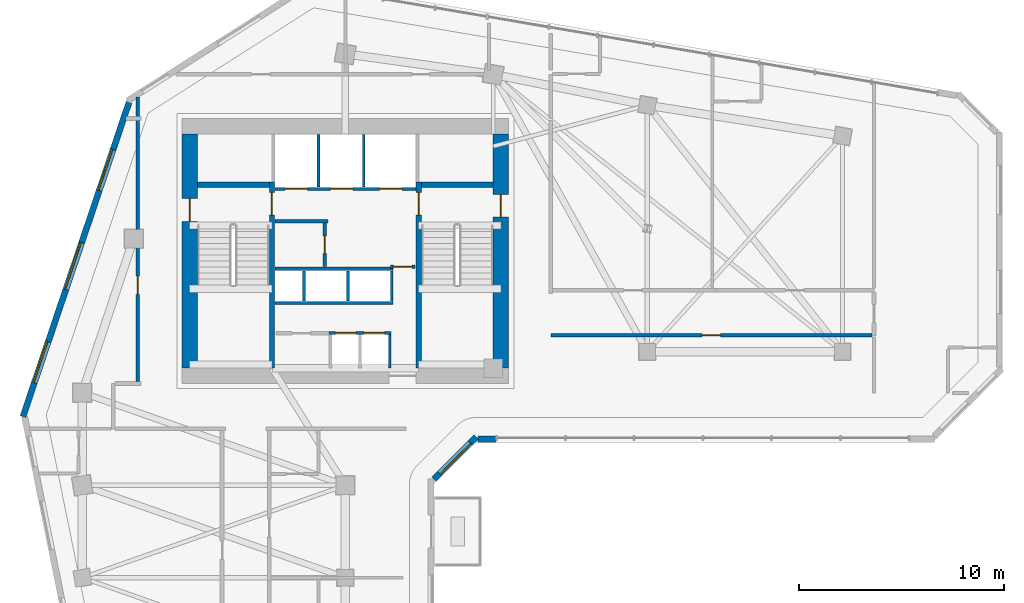
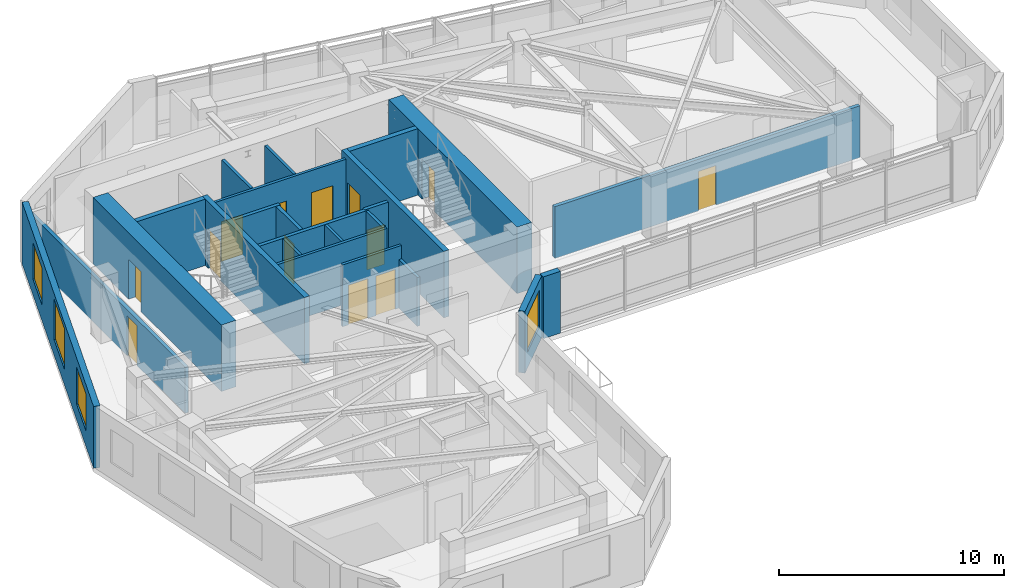
# One storey, part 5 of 10: 24 walls, 13 doors, 4 windows, 17 openings.
"""IFC4 building model written with IfcOpenShell, lengths in metres."""

import ifcopenshell
import ifcopenshell.guid

model = None  # the IFC model being written
_history = None  # IfcOwnerHistory: only IFC2X3 demands one
_inside = {}  # id of a spatial element -> (the spatial element, [elements in it])
_under = {}  # id of a project, library or spatial element -> (it, [spatial elements below it])
_declared = {}  # id of a project -> (the project, [libraries it declares])
_typed = {}  # id of a type object -> (the type object, [elements of that type])
_made_of = {}  # id of a material, layer set ... -> (it, [elements and type objects made of it])


def new_model(schema):
    """Start an empty IFC model of exactly this schema.

    Asked for "IFC4X3", IfcOpenShell would pick the latest addendum, in which some entities
    have other attributes; the version numbers below select the first issue.
    IFC2X3 requires an IfcOwnerHistory on every rooted entity: one is made here for all.
    """
    global model, _history
    if schema == "IFC4X3":
        model = ifcopenshell.file(schema_version=(4, 3, 0, 0))
    else:
        model = ifcopenshell.file(schema=schema)
    _inside.clear()
    _under.clear()
    _declared.clear()
    _typed.clear()
    _made_of.clear()
    _history = None
    if model.schema == "IFC2X3":
        org = make("IfcOrganization", Name="unknown")
        user = make(
            "IfcPersonAndOrganization",
            ThePerson=make("IfcPerson", FamilyName="unknown"),
            TheOrganization=org,
        )
        app = make(
            "IfcApplication",
            ApplicationDeveloper=org,
            Version="unknown",
            ApplicationFullName="unknown",
            ApplicationIdentifier="unknown",
        )
        _history = make(
            "IfcOwnerHistory",
            OwningUser=user,
            OwningApplication=app,
            ChangeAction="ADDED",
            CreationDate=0,
        )
    return model


def make(cls, **values):
    """One entity of the class cls with the attributes given. An attribute that is None is left unset."""
    return model.create_entity(
        cls, **{name: value for name, value in values.items() if value is not None}
    )


def rooted(cls, **values):
    """An entity with a GlobalId (a new one), such as an element, a storey or a relation."""
    return make(cls, GlobalId=ifcopenshell.guid.new(), OwnerHistory=_history, **values)


def si_unit(unit_type, name, prefix=None):
    """IfcSIUnit, for example si_unit("LENGTHUNIT", "METRE", prefix="MILLI")."""
    return make("IfcSIUnit", UnitType=unit_type, Prefix=prefix, Name=name)


def assignment(units):
    """IfcUnitAssignment: the units of a project."""
    return None if units is None else make("IfcUnitAssignment", Units=units)


def point(xyz):
    """IfcCartesianPoint."""
    return None if xyz is None else make("IfcCartesianPoint", Coordinates=xyz)


def direction(xyz):
    """IfcDirection."""
    return None if xyz is None else make("IfcDirection", DirectionRatios=xyz)


def frame(location, z_axis=None, x_axis=None):
    """IfcAxis2Placement3D, a coordinate frame: its origin and axes. An axis left out is left unset."""
    return make(
        "IfcAxis2Placement3D",
        Location=point(location),
        Axis=direction(z_axis),
        RefDirection=direction(x_axis),
    )


def frame_2d(location, x_axis=None):
    """IfcAxis2Placement2D, a coordinate frame in the plane: its origin and x axis."""
    return make(
        "IfcAxis2Placement2D", Location=point(location), RefDirection=direction(x_axis)
    )


def origin():
    """The frame at (0, 0, 0) with its axes left unset."""
    return frame((0.0, 0.0, 0.0))


def place(relative_to, where):
    """IfcLocalPlacement: puts the frame where relative to a parent placement (None: the world)."""
    return make(
        "IfcLocalPlacement", PlacementRelTo=relative_to, RelativePlacement=where
    )


def context(
    kind, dimensions, precision=None, world=None, true_north=None, identifier=None
):
    """IfcGeometricRepresentationContext, for example the 3D "Model" context."""
    return make(
        "IfcGeometricRepresentationContext",
        ContextIdentifier=identifier,
        ContextType=kind,
        CoordinateSpaceDimension=dimensions,
        Precision=precision,
        WorldCoordinateSystem=world,
        TrueNorth=true_north,
    )


def subcontext(parent, identifier, kind, view, scale=None):
    """IfcGeometricRepresentationSubContext, for example "Body" below "Model"."""
    return make(
        "IfcGeometricRepresentationSubContext",
        ContextIdentifier=identifier,
        ContextType=kind,
        ParentContext=parent,
        TargetScale=scale,
        TargetView=view,
    )


def project(units=None, contexts=None):
    """IfcProject with its units and contexts."""
    return rooted(
        "IfcProject",
        Name="project",
        RepresentationContexts=contexts,
        UnitsInContext=assignment(units),
    )


def spatial(cls, under=None, at=None, **own):
    """A site, building, storey or space (cls), placed at a placement, below another one or the project."""
    s = rooted(cls, ObjectPlacement=at, **own)
    if under is not None:
        _under.setdefault(under.id(), (under, []))[1].append(s)
    return s


def profile(cls, at=None, kind="AREA", **sizes):
    """A parametric profile (cls). Its sizes go by their IFC names, for example OverallWidth=200.0."""
    return make(cls, ProfileType=kind, Position=at, **sizes)


def rectangle(**sizes):
    """IfcRectangleProfileDef."""
    return profile("IfcRectangleProfileDef", **sizes)


def extrude(swept, where, along, depth):
    """IfcExtrudedAreaSolid: the profile swept, set in the frame where, extruded along a direction by depth."""
    return make(
        "IfcExtrudedAreaSolid",
        SweptArea=swept,
        Position=where,
        ExtrudedDirection=direction(along),
        Depth=depth,
    )


def shape(context_of_items, identifier, shape_type, items):
    """IfcShapeRepresentation: the items that make up one representation, for example the "Body"."""
    return make(
        "IfcShapeRepresentation",
        ContextOfItems=context_of_items,
        RepresentationIdentifier=identifier,
        RepresentationType=shape_type,
        Items=items,
    )


def source(mapping_origin, context_of_items, identifier, shape_type, items):
    """IfcRepresentationMap: a shape defined once, which mapped items show again and again."""
    return make(
        "IfcRepresentationMap",
        MappingOrigin=mapping_origin,
        MappedRepresentation=shape(context_of_items, identifier, shape_type, items),
    )


def transform(
    local_origin,
    x_axis=None,
    y_axis=None,
    z_axis=None,
    scale=None,
    scale2=None,
    scale3=None,
    uniform=True,
):
    """IfcCartesianTransformationOperator3D, or its non-uniform kind. x_axis, y_axis, z_axis: its Axis1, 2, 3."""
    if uniform:
        return make(
            "IfcCartesianTransformationOperator3D",
            Axis1=direction(x_axis),
            Axis2=direction(y_axis),
            LocalOrigin=point(local_origin),
            Scale=scale,
            Axis3=direction(z_axis),
        )
    return make(
        "IfcCartesianTransformationOperator3DnonUniform",
        Axis1=direction(x_axis),
        Axis2=direction(y_axis),
        LocalOrigin=point(local_origin),
        Scale=scale,
        Axis3=direction(z_axis),
        Scale2=scale2,
        Scale3=scale3,
    )


def mapped(mapping_source, mapping_target):
    """IfcMappedItem: shows the shape of a source again, moved by a transform."""
    return make(
        "IfcMappedItem", MappingSource=mapping_source, MappingTarget=mapping_target
    )


def material(Name=None, Category=None):
    """IfcMaterial."""
    return make("IfcMaterial", Name=Name, Category=Category)


def layer(
    of_material, thickness, ventilated=None, Name=None, Category=None, Priority=None
):
    """IfcMaterialLayer: one layer of a wall or slab, of a material (None: an air gap)."""
    return make(
        "IfcMaterialLayer",
        Material=of_material,
        LayerThickness=thickness,
        IsVentilated=ventilated,
        Name=Name,
        Category=Category,
        Priority=Priority,
    )


def layer_set(layers, Name=None):
    """IfcMaterialLayerSet."""
    return make("IfcMaterialLayerSet", MaterialLayers=layers, LayerSetName=Name)


def made_of(thing, what):
    """Note that an element or type object is made of a material, layer set ...; save() writes the relation."""
    if what is not None:
        _made_of.setdefault(what.id(), (what, []))[1].append(thing)
    return thing


def type_object(cls, material=None, **own):
    """A type object (cls), such as IfcWallType, which elements share."""
    return made_of(rooted(cls, **own), material)


def element(
    cls,
    number,
    at=None,
    inside=None,
    cuts=None,
    type_object=None,
    material=None,
    context=None,
    identifier="Body",
    shape_type=None,
    held_by="IfcProductDefinitionShape",
    body=None,
    shapes=None,
    **own,
):
    """One element of the class cls, such as IfcWall. Its Tag is "e" and its number.

    at: its placement. inside: the storey or other place that contains it. cuts: it is an
    opening in that element (IfcRelVoidsElement). A single representation is given by context,
    identifier, shape_type and body (its items); several are given by shapes. held_by: the class
    of the entity that holds the representations. save() writes the other relations.
    """
    e = rooted(cls, Tag="e%d" % number, ObjectPlacement=at, **own)
    if body is not None:
        shapes = [shape(context, identifier, shape_type, body)]
    if shapes is not None:
        e.Representation = make(held_by, Representations=shapes)
    if inside is not None:
        _inside.setdefault(inside.id(), (inside, []))[1].append(e)
    if cuts is not None:
        rooted(
            "IfcRelVoidsElement", RelatingBuildingElement=cuts, RelatedOpeningElement=e
        )
    if type_object is not None:
        _typed.setdefault(type_object.id(), (type_object, []))[1].append(e)
    return made_of(e, material)


def fill(opening, filler):
    """IfcRelFillsElement: the door or window that sits in an opening."""
    return rooted(
        "IfcRelFillsElement",
        RelatingOpeningElement=opening,
        RelatedBuildingElement=filler,
    )


def aggregate(whole, parts):
    """IfcRelAggregates: a whole, such as a stair, and the parts it consists of."""
    return rooted("IfcRelAggregates", RelatingObject=whole, RelatedObjects=parts)


def save(model, path):
    """Write the relations noted so far, then the file.

    IfcRelAggregates (storeys below a building ...), IfcRelContainedInSpatialStructure (elements
    in a storey), IfcRelDefinesByType, IfcRelAssociatesMaterial and IfcRelDeclares: one each for
    every whole, place, type object, material and project.
    """
    for whole, parts in _under.values():
        aggregate(whole, parts)
    for where, things in _inside.values():
        rooted(
            "IfcRelContainedInSpatialStructure",
            RelatedElements=things,
            RelatingStructure=where,
        )
    for kind, things in _typed.values():
        rooted("IfcRelDefinesByType", RelatedObjects=things, RelatingType=kind)
    for what, things in _made_of.values():
        rooted("IfcRelAssociatesMaterial", RelatedObjects=things, RelatingMaterial=what)
    for by, libraries in _declared.values():
        rooted("IfcRelDeclares", RelatingContext=by, RelatedDefinitions=libraries)
    model.write(path)


model = new_model("IFC4")

# Units and contexts
model_context = context("Model", 3, precision=1e-05, world=origin(), true_north=direction((0.0, 1.0)))
body_context = subcontext(model_context, "Body", "Model", "MODEL_VIEW")
ifc_project = project(units=[si_unit("LENGTHUNIT", "METRE"), si_unit("AREAUNIT", "SQUARE_METRE"), si_unit("VOLUMEUNIT", "CUBIC_METRE"), si_unit("PLANEANGLEUNIT", "RADIAN"), si_unit("MASSUNIT", "GRAM", prefix="KILO")], contexts=[model_context])

# Site, building, storey
site_placement = place(None, origin())
site = spatial("IfcSite", under=ifc_project, at=site_placement, CompositionType="ELEMENT")
building_placement = place(site_placement, origin())
building = spatial("IfcBuilding", under=site, at=building_placement, Name="Calvemar Wedge Station Tower", CompositionType="ELEMENT")
storey_placement = place(building_placement, frame((0.0, 0.0, 150.199951171875)))
storey = spatial("IfcBuildingStorey", under=building, at=storey_placement, Name="L37", CompositionType="ELEMENT", Elevation=150.199951171875)

# Wall, opening, door
ifc_material_1 = material(Name="Concrete C50", Category="concrete")
ifc_layer_1 = layer(ifc_material_1, 0.260009765625)
ifc_layer_set_1 = layer_set([ifc_layer_1], Name="Concrete C50")
wall_type_1 = type_object("IfcWallType", Name="SW-CORE-260", PredefinedType="SHEAR", material=ifc_layer_set_1)
wall_1_placement = place(storey_placement, frame((20.22998046875, 34.199951171875, 0.0), z_axis=(0.0, 0.0, 1.0), x_axis=(0.0, 1.0, 0.0)))
wall_1 = element("IfcWall", 1, at=wall_1_placement, inside=storey, type_object=wall_type_1, Name="Storey L37 Core Shear Wall SPINE-W", PredefinedType="SHEAR", context=body_context, shape_type="SweptSolid", body=[
    extrude(rectangle(XDim=9.06005859375, YDim=0.260009765625, at=frame_2d((4.530029296875, 0.0))), origin(), (0.0, 0.0, 1.0), 3.60009765625),
])
shared_shape_1 = source(origin(), body_context, "Body", "SweptSolid", [
    extrude(rectangle(XDim=1.10009765625, YDim=2.14990234375, at=frame_2d((0.550048828125, 1.074951171875))), frame((0.0, 0.14013671875, 0.0), z_axis=(0.0, -1.0, 0.0), x_axis=(1.0, 0.0, 0.0)), (0.0, 0.0, 1.0), 0.280029296875),
])
opening_1_placement = place(wall_1_placement, frame((7.449951171875, 0.0, 0.0)))
opening_1 = element("IfcOpeningElement", 2, at=opening_1_placement, cuts=wall_1, Name="Opening FD-90", PredefinedType="OPENING", context=body_context, shape_type="MappedRepresentation", body=[
    mapped(shared_shape_1, transform((0.0, 0.0, 0.0), scale=1.0)),
])
ifc_material_2 = material(Name="Galvanized fire-rated steel door leaf P-90", Category="steel")
door_type_1 = type_object("IfcDoorType", Name="DR-FD90-1100", OperationType="NOTDEFINED", PredefinedType="DOOR", material=ifc_material_2)
shared_shape_2 = source(origin(), body_context, "Body", "SweptSolid", [
    extrude(rectangle(XDim=1.10009765625, YDim=2.14990234375, at=frame_2d((0.550048828125, 1.074951171875))), frame((0.0, 0.02490234375, 0.0), z_axis=(0.0, -1.0, 0.0), x_axis=(1.0, 0.0, 0.0)), (0.0, 0.0, 1.0), 0.050048828125),
])
door_1_placement = place(opening_1_placement, origin())
door_1 = element("IfcDoor", 3, at=door_1_placement, inside=storey, type_object=door_type_1, Name="L37 FF Lobby to Stair ST-C1 Door", OperationType="SINGLE_SWING_LEFT", OverallHeight=2.14990234375, OverallWidth=1.10009765625, PredefinedType="DOOR", context=body_context, shape_type="MappedRepresentation", body=[
    mapped(shared_shape_2, transform((0.0, 0.0, 0.0), scale=1.0)),
])
fill(opening_1, door_1)

wall_2_placement = place(storey_placement, frame((27.3701171875, 34.199951171875, 0.0), z_axis=(0.0, 0.0, 1.0), x_axis=(0.0, 1.0, 0.0)))
wall_2 = element("IfcWall", 4, at=wall_2_placement, inside=storey, type_object=wall_type_1, Name="Storey L37 Core Shear Wall SPINE-E", PredefinedType="SHEAR", context=body_context, shape_type="SweptSolid", body=[
    extrude(rectangle(XDim=9.06005859375, YDim=0.260009765625, at=frame_2d((4.530029296875, 0.0))), origin(), (0.0, 0.0, 1.0), 3.60009765625),
])
opening_2_placement = place(wall_2_placement, frame((7.449951171875, 0.0, 0.0)))
opening_2 = element("IfcOpeningElement", 5, at=opening_2_placement, cuts=wall_2, Name="Opening FD-90", PredefinedType="OPENING", context=body_context, shape_type="MappedRepresentation", body=[
    mapped(shared_shape_1, transform((0.0, 0.0, 0.0), scale=1.0)),
])
door_2_placement = place(opening_2_placement, origin())
door_2 = element("IfcDoor", 6, at=door_2_placement, inside=storey, type_object=door_type_1, Name="L37 FF Lobby to Stair ST-C2 Door", OperationType="SINGLE_SWING_RIGHT", OverallHeight=2.14990234375, OverallWidth=1.10009765625, PredefinedType="DOOR", context=body_context, shape_type="MappedRepresentation", body=[
    mapped(shared_shape_2, transform((0.0, 0.0, 0.0), scale=1.0)),
])
fill(opening_2, door_2)

# Walls
for number, where, z_axis, x_axis, name in (
    (7, (16.60009765625, 43.1298828125, 0.0), (0.0, 0.0, 1.0), (1.0, 0.0, 0.0), "Storey L37 Core Shear Wall STC1-N"),
    (8, (27.5, 43.1298828125, 0.0), (0.0, 0.0, 1.0), (1.0, 0.0, 0.0), "Storey L37 Core Shear Wall STC2-N"),
):
    element("IfcWall", number, at=place(storey_placement, frame(where, z_axis=z_axis, x_axis=x_axis)), inside=storey, type_object=wall_type_1, Name=name, PredefinedType="SHEAR", context=body_context, shape_type="SweptSolid", body=[
        extrude(rectangle(XDim=3.5, YDim=0.260009765625, at=frame_2d((1.75, 0.0))), origin(), (0.0, 0.0, 1.0), 3.60009765625),
    ])

# Wall, opening, door
ifc_material_3 = material(Name="Concrete C70", Category="concrete")
ifc_layer_2 = layer(ifc_material_3, 0.75)
ifc_layer_set_2 = layer_set([ifc_layer_2], Name="Concrete C70")
wall_type_2 = type_object("IfcWallType", Name="SW-CORE-750", PredefinedType="SHEAR", material=ifc_layer_set_2)
wall_3_placement = place(storey_placement, frame((16.22509765625, 34.199951171875, 0.0), z_axis=(0.0, 0.0, 1.0), x_axis=(0.0, 1.0, 0.0)))
wall_3 = element("IfcWall", 9, at=wall_3_placement, inside=storey, type_object=wall_type_2, Name="Storey L37 Core Shear Wall W", PredefinedType="SHEAR", context=body_context, shape_type="SweptSolid", body=[
    extrude(rectangle(XDim=11.400146484375, YDim=0.75, at=frame_2d((5.7001953125, 0.0))), origin(), (0.0, 0.0, 1.0), 3.60009765625),
])
shared_shape_3 = source(origin(), body_context, "Body", "SweptSolid", [
    extrude(rectangle(XDim=1.10009765625, YDim=2.14990234375, at=frame_2d((0.550048828125, 1.074951171875))), frame((0.0, 0.385009765625, 0.0), z_axis=(0.0, -1.0, 0.0), x_axis=(1.0, 0.0, 0.0)), (0.0, 0.0, 1.0), 0.77001953125),
])
opening_3_placement = place(wall_3_placement, frame((7.14990234375, 0.0, 0.0)))
opening_3 = element("IfcOpeningElement", 10, at=opening_3_placement, cuts=wall_3, Name="Opening FD-90", PredefinedType="OPENING", context=body_context, shape_type="MappedRepresentation", body=[
    mapped(shared_shape_3, transform((0.0, 0.0, 0.0), scale=1.0)),
])
door_3_placement = place(opening_3_placement, origin())
door_3 = element("IfcDoor", 11, at=door_3_placement, inside=storey, type_object=door_type_1, Name="L37 West Corridor to Exit Stair ST-C1 Door", OperationType="SINGLE_SWING_LEFT", OverallHeight=2.14990234375, OverallWidth=1.10009765625, PredefinedType="DOOR", context=body_context, shape_type="MappedRepresentation", body=[
    mapped(shared_shape_2, transform((0.0, 0.0, 0.0), scale=1.0)),
])
fill(opening_3, door_3)

wall_4_placement = place(storey_placement, frame((31.375, 34.199951171875, 0.0), z_axis=(0.0, 0.0, 1.0), x_axis=(0.0, 1.0, 0.0)))
wall_4 = element("IfcWall", 12, at=wall_4_placement, inside=storey, type_object=wall_type_2, Name="Storey L37 Core Shear Wall E", PredefinedType="SHEAR", context=body_context, shape_type="SweptSolid", body=[
    extrude(rectangle(XDim=11.400146484375, YDim=0.75, at=frame_2d((5.7001953125, 0.0))), origin(), (0.0, 0.0, 1.0), 3.60009765625),
])
opening_4_placement = place(wall_4_placement, frame((7.35009765625, 0.0, 0.0)))
opening_4 = element("IfcOpeningElement", 13, at=opening_4_placement, cuts=wall_4, Name="Opening FD-90", PredefinedType="OPENING", context=body_context, shape_type="MappedRepresentation", body=[
    mapped(shared_shape_3, transform((0.0, 0.0, 0.0), scale=1.0)),
])
door_4_placement = place(opening_4_placement, origin())
door_4 = element("IfcDoor", 14, at=door_4_placement, inside=storey, type_object=door_type_1, Name="L37 East Corridor to Exit Stair ST-C2 Door", OperationType="SINGLE_SWING_RIGHT", OverallHeight=2.14990234375, OverallWidth=1.10009765625, PredefinedType="DOOR", context=body_context, shape_type="MappedRepresentation", body=[
    mapped(shared_shape_2, transform((0.0, 0.0, 0.0), scale=1.0)),
])
fill(opening_4, door_4)

# Wall
ifc_material_4 = material(Name="Double-stud fire-rated corridor partition")
ifc_layer_3 = layer(ifc_material_4, 0.179931640625)
ifc_layer_set_3 = layer_set([ifc_layer_3], Name="Double-stud fire-rated corridor partition")
wall_type_3 = type_object("IfcWallType", Name="W-CORR-180", PredefinedType="PARTITIONING", material=ifc_layer_set_3)
wall_5_placement = place(storey_placement, frame((22.9599609375, 41.35009765625, 0.0), z_axis=(0.0, 0.0, 1.0), x_axis=(-1.0, 0.0, 0.0)))
element("IfcWall", 15, at=wall_5_placement, inside=storey, type_object=wall_type_3, Name="Storey L37 Interior Partition WL-L37-001", PredefinedType="PARTITIONING", context=body_context, shape_type="SweptSolid", body=[
    extrude(rectangle(XDim=2.580078125, YDim=0.179931640625, at=frame_2d((1.2900390625, 0.0))), origin(), (0.0, 0.0, 1.0), 3.35009765625),
])

# Wall, opening, door
wall_6_placement = place(storey_placement, frame((22.800048828125, 41.256103515625, 0.0), z_axis=(0.0, 0.0, 1.0), x_axis=(0.0, -1.0, 0.0)))
wall_6 = element("IfcWall", 16, at=wall_6_placement, inside=storey, type_object=wall_type_3, Name="Storey L37 Interior Partition WL-L37-002", PredefinedType="PARTITIONING", context=body_context, shape_type="SweptSolid", body=[
    extrude(rectangle(XDim=2.106201171875, YDim=0.179931640625, at=frame_2d((1.05322265625, 0.0))), origin(), (0.0, 0.0, 1.0), 3.35009765625),
])
shared_shape_4 = source(origin(), body_context, "Body", "SweptSolid", [
    extrude(rectangle(XDim=0.85009765625, YDim=2.14990234375, at=frame_2d((0.425048828125, 1.074951171875))), frame((0.0, 0.10009765625, 0.0), z_axis=(0.0, -1.0, 0.0), x_axis=(1.0, 0.0, 0.0)), (0.0, 0.0, 1.0), 0.199951171875),
])
opening_5_placement = place(wall_6_placement, frame((0.6279296875, 0.0, 0.0)))
opening_5 = element("IfcOpeningElement", 17, at=opening_5_placement, cuts=wall_6, Name="Opening FD-60S", PredefinedType="OPENING", context=body_context, shape_type="MappedRepresentation", body=[
    mapped(shared_shape_4, transform((0.0, 0.0, 0.0), scale=1.0)),
])
ifc_material_5 = material(Name="Fire-rated steel and hardwood service door EI 60", Category="steel")
door_type_2 = type_object("IfcDoorType", Name="DR-CORE-FD60-850", OperationType="NOTDEFINED", PredefinedType="DOOR", material=ifc_material_5)
shared_shape_5 = source(origin(), body_context, "Body", "SweptSolid", [
    extrude(rectangle(XDim=0.85009765625, YDim=2.14990234375, at=frame_2d((0.425048828125, 1.074951171875))), frame((0.0, 0.02490234375, 0.0), z_axis=(0.0, -1.0, 0.0), x_axis=(1.0, 0.0, 0.0)), (0.0, 0.0, 1.0), 0.050048828125),
])
door_5_placement = place(opening_5_placement, origin())
door_5 = element("IfcDoor", 18, at=door_5_placement, inside=storey, type_object=door_type_2, Name="L37 Core Electrical Switch Room Door", OperationType="SINGLE_SWING_LEFT", OverallHeight=2.14990234375, OverallWidth=0.85009765625, PredefinedType="DOOR", context=body_context, shape_type="MappedRepresentation", body=[
    mapped(shared_shape_5, transform((0.0, 0.0, 0.0), scale=1.0)),
])
fill(opening_5, door_5)

wall_7_placement = place(storey_placement, frame((27.199951171875, 39.1298828125, 0.0), z_axis=(0.0, 0.0, 1.0), x_axis=(-1.0, 0.0, 0.0)))
wall_7 = element("IfcWall", 19, at=wall_7_placement, inside=storey, type_object=wall_type_3, Name="Storey L37 Interior Partition WL-L37-003", PredefinedType="PARTITIONING", context=body_context, shape_type="SweptSolid", body=[
    extrude(rectangle(XDim=1.2099609375, YDim=0.179931640625, at=frame_2d((0.60498046875, 0.0))), origin(), (0.0, 0.0, 1.0), 3.35009765625),
])
shared_shape_6 = source(origin(), body_context, "Body", "SweptSolid", [
    extrude(rectangle(XDim=0.89990234375, YDim=2.14990234375, at=frame_2d((0.449951171875, 1.074951171875))), frame((0.0, 0.10009765625, 0.0), z_axis=(0.0, -1.0, 0.0), x_axis=(1.0, 0.0, 0.0)), (0.0, 0.0, 1.0), 0.199951171875),
])
opening_6_placement = place(wall_7_placement, frame((0.155029296875, 0.0, 0.0)))
opening_6 = element("IfcOpeningElement", 20, at=opening_6_placement, cuts=wall_7, Name="Opening FD-60", PredefinedType="OPENING", context=body_context, shape_type="MappedRepresentation", body=[
    mapped(shared_shape_6, transform((0.0, 0.0, 0.0), scale=1.0)),
])
ifc_material_6 = material(Name="Fire-rated acoustic timber-core entrance door EI 60", Category="wood")
door_type_3 = type_object("IfcDoorType", Name="DR-FD60-900", OperationType="NOTDEFINED", PredefinedType="DOOR", material=ifc_material_6)
shared_shape_7 = source(origin(), body_context, "Body", "SweptSolid", [
    extrude(rectangle(XDim=0.89990234375, YDim=2.14990234375, at=frame_2d((0.449951171875, 1.074951171875))), frame((0.0, 0.02490234375, 0.0), z_axis=(0.0, -1.0, 0.0), x_axis=(1.0, 0.0, 0.0)), (0.0, 0.0, 1.0), 0.050048828125),
])
door_6_placement = place(opening_6_placement, origin())
door_6 = element("IfcDoor", 21, at=door_6_placement, inside=storey, type_object=door_type_3, Name="L37 Core Service Lobby Door", OperationType="SINGLE_SWING_RIGHT", OverallHeight=2.14990234375, OverallWidth=0.89990234375, PredefinedType="DOOR", context=body_context, shape_type="MappedRepresentation", body=[
    mapped(shared_shape_7, transform((0.0, 0.0, 0.0), scale=1.0)),
])
fill(opening_6, door_6)

wall_8_placement = place(storey_placement, frame((13.699951171875, 33.5439453125, 0.0), z_axis=(0.0, 0.0, 1.0), x_axis=(0.0, 1.0, 0.0)))
wall_8 = element("IfcWall", 22, at=wall_8_placement, inside=storey, type_object=wall_type_3, Name="Storey L37 Interior Partition WL-L37-010", PredefinedType="PARTITIONING", context=body_context, shape_type="SweptSolid", body=[
    extrude(rectangle(XDim=13.860107421875, YDim=0.179931640625, at=frame_2d((6.93017578125, 0.0))), origin(), (0.0, 0.0, 1.0), 2.491943359375),
])
opening_7_placement = place(wall_8_placement, frame((4.252685546875, 0.0, 0.0)))
opening_7 = element("IfcOpeningElement", 23, at=opening_7_placement, cuts=wall_8, Name="Opening D-01", PredefinedType="OPENING", context=body_context, shape_type="MappedRepresentation", body=[
    mapped(shared_shape_6, transform((0.0, 0.0, 0.0), scale=1.0)),
])
ifc_material_7 = material(Name="Architectural hardwood acoustic swing door", Category="wood")
door_type_4 = type_object("IfcDoorType", Name="DR-INT-900", OperationType="NOTDEFINED", PredefinedType="DOOR", material=ifc_material_7)
shared_shape_8 = source(origin(), body_context, "Body", "SweptSolid", [
    extrude(rectangle(XDim=0.89990234375, YDim=2.14990234375, at=frame_2d((0.449951171875, 1.074951171875))), frame((0.0, 0.02490234375, 0.0), z_axis=(0.0, -1.0, 0.0), x_axis=(1.0, 0.0, 0.0)), (0.0, 0.0, 1.0), 0.050048828125),
])
door_7_placement = place(opening_7_placement, origin())
door_7 = element("IfcDoor", 24, at=door_7_placement, inside=storey, type_object=door_type_4, Name="L37 Executive Lounge Door", OperationType="SINGLE_SWING_RIGHT", OverallHeight=2.14990234375, OverallWidth=0.89990234375, PredefinedType="DOOR", context=body_context, shape_type="MappedRepresentation", body=[
    mapped(shared_shape_8, transform((0.0, 0.0, 0.0), scale=1.0)),
])
fill(opening_7, door_7)

wall_9_placement = place(storey_placement, frame((49.44091796875, 35.800048828125, 0.0), z_axis=(0.0, 0.0, 1.0), x_axis=(-1.0, 0.0, 0.0)))
wall_9 = element("IfcWall", 25, at=wall_9_placement, inside=storey, type_object=wall_type_3, Name="Storey L37 Interior Partition WL-L37-022", PredefinedType="PARTITIONING", context=body_context, shape_type="SweptSolid", body=[
    extrude(rectangle(XDim=15.640869140625, YDim=0.179931640625, at=frame_2d((7.8203125, 0.0))), origin(), (0.0, 0.0, 1.0), 2.802978515625),
])
opening_8_placement = place(wall_9_placement, frame((7.37060546875, 0.0, 0.0)))
opening_8 = element("IfcOpeningElement", 26, at=opening_8_placement, cuts=wall_9, Name="Opening D-01", PredefinedType="OPENING", context=body_context, shape_type="MappedRepresentation", body=[
    mapped(shared_shape_6, transform((0.0, 0.0, 0.0), scale=1.0)),
])
door_8_placement = place(opening_8_placement, origin())
door_8 = element("IfcDoor", 27, at=door_8_placement, inside=storey, type_object=door_type_4, Name="L37 Meeting Room Door", OperationType="SINGLE_SWING_LEFT", OverallHeight=2.14990234375, OverallWidth=0.89990234375, PredefinedType="DOOR", context=body_context, shape_type="MappedRepresentation", body=[
    mapped(shared_shape_8, transform((0.0, 0.0, 0.0), scale=1.0)),
])
fill(opening_8, door_8)

# Wall, opening, window
ifc_material_8 = material(Name="Precast concrete C45", Category="concrete")
ifc_layer_4 = layer(ifc_material_8, 0.300048828125)
ifc_layer_set_4 = layer_set([ifc_layer_4], Name="Precast concrete C45")
wall_type_4 = type_object("IfcWallType", Name="W-EXT-GFRC-300", PredefinedType="SOLIDWALL", material=ifc_layer_set_4)
wall_10_placement = place(storey_placement, frame((28.115966796875, 28.7919921875, 0.0), z_axis=(0.0, 0.0, 1.0), x_axis=(0.707064797706, 0.707148762175, 0.0)))
wall_10 = element("IfcWall", 28, at=wall_10_placement, inside=storey, type_object=wall_type_4, Name="Storey L37 Bronze GFRC Exterior Wall 5", PredefinedType="SOLIDWALL", context=body_context, shape_type="SweptSolid", body=[
    extrude(rectangle(XDim=2.90771484375, YDim=0.300048828125, at=frame_2d((1.453857421875, 0.0))), origin(), (0.0, 0.0, 1.0), 3.35009765625),
])
shared_shape_9 = source(origin(), body_context, "Body", "SweptSolid", [
    extrude(rectangle(XDim=2.10009765625, YDim=2.0, at=frame_2d((1.050048828125, 1.0))), frame((0.0, 0.16015625, 0.0), z_axis=(0.0, -1.0, 0.0), x_axis=(1.0, 0.0, 0.0)), (0.0, 0.0, 1.0), 0.320068359375),
])
opening_9_placement = place(wall_10_placement, frame((0.404052734375, 0.0, 0.85009765625)))
opening_9 = element("IfcOpeningElement", 29, at=opening_9_placement, cuts=wall_10, Name="Opening W4", PredefinedType="OPENING", context=body_context, shape_type="MappedRepresentation", body=[
    mapped(shared_shape_9, transform((0.0, 0.0, 0.0), scale=1.0)),
])
ifc_material_9 = material(Name="Low-E laminated insulated glass", Category="glass")
window_type_1 = type_object("IfcWindowType", Name="WIN-EXT-4", PartitioningType="SINGLE_PANEL", PredefinedType="WINDOW", material=ifc_material_9)
shared_shape_10 = source(origin(), body_context, "Body", "SweptSolid", [
    extrude(rectangle(XDim=2.10009765625, YDim=2.0, at=frame_2d((1.050048828125, 1.0))), frame((0.0, -0.014892578125, 0.0), z_axis=(0.0, -1.0, 0.0), x_axis=(1.0, 0.0, 0.0)), (0.0, 0.0, 1.0), 0.06005859375),
])
window_1_placement = place(opening_9_placement, origin())
window_1 = element("IfcWindow", 30, at=window_1_placement, inside=storey, type_object=window_type_1, Name="Storey L37 Recessed Window 5.1", OverallHeight=2.0, OverallWidth=2.10009765625, PartitioningType="SINGLE_PANEL", PredefinedType="WINDOW", context=body_context, shape_type="MappedRepresentation", body=[
    mapped(shared_shape_10, transform((0.0, 0.0, 0.0), scale=1.0)),
])
fill(opening_9, window_1)

# Wall
wall_11_placement = place(storey_placement, frame((30.260986328125, 30.741943359375, 0.0), z_axis=(0.0, 0.0, 1.0), x_axis=(1.0, 0.0, 0.0)))
element("IfcWall", 31, at=wall_11_placement, inside=storey, type_object=wall_type_4, Name="Storey L37 Bronze GFRC Corner Pier 6A", PredefinedType="SOLIDWALL", context=body_context, shape_type="SweptSolid", body=[
    extrude(rectangle(XDim=0.88232421875, YDim=0.300048828125, at=frame_2d((0.441162109375, 0.0))), origin(), (0.0, 0.0, 1.0), 3.35009765625),
])

# Wall, openings, windows
wall_12_placement = place(storey_placement, frame((13.2685546875, 47.1337890625, 0.0), z_axis=(0.0, 0.0, 1.0), x_axis=(-0.319929773322, -0.947441259468, 0.0)))
wall_12 = element("IfcWall", 32, at=wall_12_placement, inside=storey, type_object=wall_type_4, Name="Storey L37 Bronze GFRC Exterior Wall 12", PredefinedType="SOLIDWALL", context=body_context, shape_type="SweptSolid", body=[
    extrude(rectangle(XDim=16.133544921875, YDim=0.300048828125, at=frame_2d((8.06689453125, 0.0))), origin(), (0.0, 0.0, 1.0), 3.35009765625),
])
opening_10_placement = place(wall_12_placement, frame((2.426025390625, 0.0, 0.85009765625)))
opening_10 = element("IfcOpeningElement", 33, at=opening_10_placement, cuts=wall_12, Name="Opening W4", PredefinedType="OPENING", context=body_context, shape_type="MappedRepresentation", body=[
    mapped(shared_shape_9, transform((0.0, 0.0, 0.0), scale=1.0)),
])
shared_shape_11 = source(origin(), body_context, "Body", "SweptSolid", [
    extrude(rectangle(XDim=2.39990234375, YDim=2.199951171875, at=frame_2d((1.199951171875, 1.10009765625))), frame((0.0, 0.16015625, 0.0), z_axis=(0.0, -1.0, 0.0), x_axis=(1.0, 0.0, 0.0)), (0.0, 0.0, 1.0), 0.320068359375),
])
opening_11_placement = place(wall_12_placement, frame((7.2109375, 0.0, 0.85009765625)))
opening_11 = element("IfcOpeningElement", 34, at=opening_11_placement, cuts=wall_12, Name="Opening W1", PredefinedType="OPENING", context=body_context, shape_type="MappedRepresentation", body=[
    mapped(shared_shape_11, transform((0.0, 0.0, 0.0), scale=1.0)),
])
opening_12_placement = place(wall_12_placement, frame((12.2958984375, 0.0, 0.85009765625)))
opening_12 = element("IfcOpeningElement", 35, at=opening_12_placement, cuts=wall_12, Name="Opening W4", PredefinedType="OPENING", context=body_context, shape_type="MappedRepresentation", body=[
    mapped(shared_shape_9, transform((0.0, 0.0, 0.0), scale=1.0)),
])
window_2_placement = place(opening_10_placement, origin())
window_2 = element("IfcWindow", 36, at=window_2_placement, inside=storey, type_object=window_type_1, Name="Storey L37 Recessed Window 12.1", OverallHeight=2.0, OverallWidth=2.10009765625, PartitioningType="SINGLE_PANEL", PredefinedType="WINDOW", context=body_context, shape_type="MappedRepresentation", body=[
    mapped(shared_shape_10, transform((0.0, 0.0, 0.0), scale=1.0)),
])
fill(opening_10, window_2)
window_3_placement = place(opening_12_placement, origin())
window_3 = element("IfcWindow", 37, at=window_3_placement, inside=storey, type_object=window_type_1, Name="Storey L37 Recessed Window 12.3", OverallHeight=2.0, OverallWidth=2.10009765625, PartitioningType="SINGLE_PANEL", PredefinedType="WINDOW", context=body_context, shape_type="MappedRepresentation", body=[
    mapped(shared_shape_10, transform((0.0, 0.0, 0.0), scale=1.0)),
])
fill(opening_12, window_3)
window_type_2 = type_object("IfcWindowType", Name="WIN-EXT-1", PartitioningType="SINGLE_PANEL", PredefinedType="WINDOW", material=ifc_material_9)
shared_shape_12 = source(origin(), body_context, "Body", "SweptSolid", [
    extrude(rectangle(XDim=2.39990234375, YDim=2.199951171875, at=frame_2d((1.199951171875, 1.10009765625))), frame((0.0, -0.014892578125, 0.0), z_axis=(0.0, -1.0, 0.0), x_axis=(1.0, 0.0, 0.0)), (0.0, 0.0, 1.0), 0.06005859375),
])
window_4_placement = place(opening_11_placement, origin())
window_4 = element("IfcWindow", 38, at=window_4_placement, inside=storey, type_object=window_type_2, Name="Storey L37 Recessed Window 12.2", OverallHeight=2.199951171875, OverallWidth=2.39990234375, PartitioningType="SINGLE_PANEL", PredefinedType="WINDOW", context=body_context, shape_type="MappedRepresentation", body=[
    mapped(shared_shape_12, transform((0.0, 0.0, 0.0), scale=1.0)),
])
fill(opening_11, window_4)

# Wall, openings, doors
ifc_material_10 = material(Name="Reinforced concrete blockwork lift shaft wall", Category="masonry")
ifc_layer_5 = layer(ifc_material_10, 0.139892578125)
ifc_layer_set_5 = layer_set([ifc_layer_5], Name="Reinforced concrete blockwork lift shaft wall")
wall_type_5 = type_object("IfcWallType", Name="W-LIFT-160", PredefinedType="SOLIDWALL", material=ifc_layer_set_5)
wall_13_placement = place(storey_placement, frame((20.3701171875, 42.929931640625, 0.0), z_axis=(0.0, 0.0, 1.0), x_axis=(1.0, 0.0, 0.0)))
wall_13 = element("IfcWall", 39, at=wall_13_placement, inside=storey, type_object=wall_type_5, Name="Storey L37 Firefighting and Service Lift Shaft Front Wall", PredefinedType="SOLIDWALL", context=body_context, shape_type="SweptSolid", body=[
    extrude(rectangle(XDim=6.85986328125, YDim=0.139892578125, at=frame_2d((3.429931640625, 0.0))), origin(), (0.0, 0.0, 1.0), 3.35009765625),
])
shared_shape_13 = source(origin(), body_context, "Body", "SweptSolid", [
    extrude(rectangle(XDim=1.10009765625, YDim=2.14990234375, at=frame_2d((0.550048828125, 1.074951171875))), frame((0.0, 0.080078125, 0.0), z_axis=(0.0, -1.0, 0.0), x_axis=(1.0, 0.0, 0.0)), (0.0, 0.0, 1.0), 0.159912109375),
])
opening_13_placement = place(wall_13_placement, frame((0.5, 0.0, 0.0)))
opening_13 = element("IfcOpeningElement", 40, at=opening_13_placement, cuts=wall_13, Name="Opening LD-FF", PredefinedType="OPENING", context=body_context, shape_type="MappedRepresentation", body=[
    mapped(shared_shape_13, transform((0.0, 0.0, 0.0), scale=1.0)),
])
opening_14_placement = place(wall_13_placement, frame((2.699951171875, 0.0, 0.0)))
opening_14 = element("IfcOpeningElement", 41, at=opening_14_placement, cuts=wall_13, Name="Opening LD-FF", PredefinedType="OPENING", context=body_context, shape_type="MappedRepresentation", body=[
    mapped(shared_shape_13, transform((0.0, 0.0, 0.0), scale=1.0)),
])
opening_15_placement = place(wall_13_placement, frame((5.10009765625, 0.0, 0.0)))
opening_15 = element("IfcOpeningElement", 42, at=opening_15_placement, cuts=wall_13, Name="Opening LD-STN", PredefinedType="OPENING", context=body_context, shape_type="MappedRepresentation", body=[
    mapped(shared_shape_13, transform((0.0, 0.0, 0.0), scale=1.0)),
])
ifc_material_11 = material(Name="Stainless steel firefighting lift sliding landing door", Category="steel")
door_type_5 = type_object("IfcDoorType", Name="DR-LD-FF-1100", OperationType="SLIDING_TO_LEFT", PredefinedType="DOOR", material=ifc_material_11)
shared_shape_14 = source(origin(), body_context, "Body", "SweptSolid", [
    extrude(rectangle(XDim=1.10009765625, YDim=2.14990234375, at=frame_2d((0.550048828125, 1.074951171875))), frame((0.0, 0.02490234375, 0.0), z_axis=(0.0, -1.0, 0.0), x_axis=(1.0, 0.0, 0.0)), (0.0, 0.0, 1.0), 0.050048828125),
])
door_9_placement = place(opening_13_placement, origin())
door_9 = element("IfcDoor", 43, at=door_9_placement, inside=storey, type_object=door_type_5, Name="L37 Lift FF-01 Sliding Landing Door", OperationType="SLIDING_TO_LEFT", OverallHeight=2.14990234375, OverallWidth=1.10009765625, PredefinedType="DOOR", context=body_context, shape_type="MappedRepresentation", body=[
    mapped(shared_shape_14, transform((0.0, 0.0, 0.0), scale=1.0)),
])
fill(opening_13, door_9)
door_10_placement = place(opening_14_placement, origin())
door_10 = element("IfcDoor", 44, at=door_10_placement, inside=storey, type_object=door_type_5, Name="L37 Lift FF-02 Sliding Landing Door", OperationType="SLIDING_TO_RIGHT", OverallHeight=2.14990234375, OverallWidth=1.10009765625, PredefinedType="DOOR", context=body_context, shape_type="MappedRepresentation", body=[
    mapped(shared_shape_14, transform((0.0, 0.0, 0.0), scale=1.0)),
])
fill(opening_14, door_10)
ifc_material_12 = material(Name="Stainless steel transit lift sliding landing door", Category="steel")
door_type_6 = type_object("IfcDoorType", Name="DR-LD-PAX-1100", OperationType="SLIDING_TO_LEFT", PredefinedType="DOOR", material=ifc_material_12)
shared_shape_15 = source(origin(), body_context, "Body", "SweptSolid", [
    extrude(rectangle(XDim=1.10009765625, YDim=2.14990234375, at=frame_2d((0.550048828125, 1.074951171875))), frame((0.0, 0.02490234375, 0.0), z_axis=(0.0, -1.0, 0.0), x_axis=(1.0, 0.0, 0.0)), (0.0, 0.0, 1.0), 0.050048828125),
])
door_11_placement = place(opening_15_placement, origin())
door_11 = element("IfcDoor", 45, at=door_11_placement, inside=storey, type_object=door_type_6, Name="L37 Lift SV-01 Sliding Landing Door", OperationType="SLIDING_TO_LEFT", OverallHeight=2.14990234375, OverallWidth=1.10009765625, PredefinedType="DOOR", context=body_context, shape_type="MappedRepresentation", body=[
    mapped(shared_shape_15, transform((0.0, 0.0, 0.0), scale=1.0)),
])
fill(opening_15, door_11)

# Walls
for number, where, z_axis, x_axis, name in (
    (46, (22.5, 43.02001953125, 0.0), (0.0, 0.0, 1.0), (0.0, 1.0, 0.0), "Storey L37 Firefighting Lift Shaft Enclosure Wall D1"),
    (47, (24.699951171875, 43.02001953125, 0.0), (0.0, 0.0, 1.0), (0.0, 1.0, 0.0), "Storey L37 Firefighting Lift Shaft Enclosure Wall D2"),
):
    element("IfcWall", number, at=place(storey_placement, frame(where, z_axis=z_axis, x_axis=x_axis)), inside=storey, type_object=wall_type_5, Name=name, PredefinedType="SOLIDWALL", context=body_context, shape_type="SweptSolid", body=[
        extrude(rectangle(XDim=2.56005859375, YDim=0.139892578125, at=frame_2d((1.280029296875, 0.0))), origin(), (0.0, 0.0, 1.0), 3.35009765625),
    ])

# Wall, openings, doors
wall_14_placement = place(storey_placement, frame((23.0, 35.919921875, 0.0), z_axis=(0.0, 0.0, 1.0), x_axis=(1.0, 0.0, 0.0)))
wall_14 = element("IfcWall", 48, at=wall_14_placement, inside=storey, type_object=wall_type_5, Name="Storey L37 South Passenger Lift Bank Front Wall", PredefinedType="SOLIDWALL", context=body_context, shape_type="SweptSolid", body=[
    extrude(rectangle(XDim=3.030029296875, YDim=0.139892578125, at=frame_2d((1.51513671875, 0.0))), origin(), (0.0, 0.0, 1.0), 3.35009765625),
])
shared_shape_16 = source(origin(), body_context, "Body", "SweptSolid", [
    extrude(rectangle(XDim=1.0, YDim=2.14990234375, at=frame_2d((0.5, 1.074951171875))), frame((0.0, 0.080078125, 0.0), z_axis=(0.0, -1.0, 0.0), x_axis=(1.0, 0.0, 0.0)), (0.0, 0.0, 1.0), 0.159912109375),
])
opening_16_placement = place(wall_14_placement, frame((0.320068359375, 0.0, 0.0)))
opening_16 = element("IfcOpeningElement", 49, at=opening_16_placement, cuts=wall_14, Name="Opening LD-PAX", PredefinedType="OPENING", context=body_context, shape_type="MappedRepresentation", body=[
    mapped(shared_shape_16, transform((0.0, 0.0, 0.0), scale=1.0)),
])
opening_17_placement = place(wall_14_placement, frame((1.7099609375, 0.0, 0.0)))
opening_17 = element("IfcOpeningElement", 50, at=opening_17_placement, cuts=wall_14, Name="Opening LD-PAX", PredefinedType="OPENING", context=body_context, shape_type="MappedRepresentation", body=[
    mapped(shared_shape_16, transform((0.0, 0.0, 0.0), scale=1.0)),
])
ifc_material_13 = material(Name="Anodised bronze passenger lift sliding landing door")
door_type_7 = type_object("IfcDoorType", Name="DR-LD-PAX-1000", OperationType="SLIDING_TO_LEFT", PredefinedType="DOOR", material=ifc_material_13)
shared_shape_17 = source(origin(), body_context, "Body", "SweptSolid", [
    extrude(rectangle(XDim=1.0, YDim=2.14990234375, at=frame_2d((0.5, 1.074951171875))), frame((0.0, 0.02490234375, 0.0), z_axis=(0.0, -1.0, 0.0), x_axis=(1.0, 0.0, 0.0)), (0.0, 0.0, 1.0), 0.050048828125),
])
door_12_placement = place(opening_16_placement, origin())
door_12 = element("IfcDoor", 51, at=door_12_placement, inside=storey, type_object=door_type_7, Name="L37 Lift HL-01 Sliding Landing Door", OperationType="SLIDING_TO_LEFT", OverallHeight=2.14990234375, OverallWidth=1.0, PredefinedType="DOOR", context=body_context, shape_type="MappedRepresentation", body=[
    mapped(shared_shape_17, transform((0.0, 0.0, 0.0), scale=1.0)),
])
fill(opening_16, door_12)
door_13_placement = place(opening_17_placement, origin())
door_13 = element("IfcDoor", 52, at=door_13_placement, inside=storey, type_object=door_type_7, Name="L37 Lift HL-02 Sliding Landing Door", OperationType="SLIDING_TO_RIGHT", OverallHeight=2.14990234375, OverallWidth=1.0, PredefinedType="DOOR", context=body_context, shape_type="MappedRepresentation", body=[
    mapped(shared_shape_17, transform((0.0, 0.0, 0.0), scale=1.0)),
])
fill(opening_17, door_13)

# Walls
wall_15_placement = place(storey_placement, frame((25.9599609375, 34.219970703125, 0.0), z_axis=(0.0, 0.0, 1.0), x_axis=(0.0, 1.0, 0.0)))
element("IfcWall", 53, at=wall_15_placement, inside=storey, type_object=wall_type_5, Name="Storey L37 South Passenger Lift Shaft Wall E", PredefinedType="SOLIDWALL", context=body_context, shape_type="SweptSolid", body=[
    extrude(rectangle(XDim=1.6201171875, YDim=0.139892578125, at=frame_2d((0.81005859375, 0.0))), origin(), (0.0, 0.0, 1.0), 2.64208984375),
])
wall_16_placement = place(storey_placement, frame((20.3798828125, 37.3798828125, 0.0), z_axis=(0.0, 0.0, 1.0), x_axis=(1.0, 0.0, 0.0)))
element("IfcWall", 54, at=wall_16_placement, inside=storey, type_object=wall_type_5, Name="Storey L37 Upper Passenger Lift Bank Front Wall", PredefinedType="SOLIDWALL", context=body_context, shape_type="SweptSolid", body=[
    extrude(rectangle(XDim=5.75, YDim=0.139892578125, at=frame_2d((2.875, 0.0))), origin(), (0.0, 0.0, 1.0), 3.35009765625),
])
for number, where, z_axis, x_axis, name in (
    (55, (26.06005859375, 37.4599609375, 0.0), (0.0, 0.0, 1.0), (0.0, 1.0, 0.0), "Storey L37 Upper Passenger Lift Shaft Wall E"),
    (56, (21.794921875, 37.4599609375, 0.0), (0.0, 0.0, 1.0), (0.0, 1.0, 0.0), "Storey L37 Upper Passenger Lift Shaft Wall D1"),
    (57, (23.93505859375, 37.4599609375, 0.0), (0.0, 0.0, 1.0), (0.0, 1.0, 0.0), "Storey L37 Upper Passenger Lift Shaft Wall D2"),
):
    element("IfcWall", number, at=place(storey_placement, frame(where, z_axis=z_axis, x_axis=x_axis)), inside=storey, type_object=wall_type_5, Name=name, PredefinedType="SOLIDWALL", context=body_context, shape_type="SweptSolid", body=[
        extrude(rectangle(XDim=1.47998046875, YDim=0.139892578125, at=frame_2d((0.739990234375, 0.0))), origin(), (0.0, 0.0, 1.0), 3.35009765625),
    ])
ifc_material_14 = material(Name="Concrete blockwork and fireboard shaft wall", Category="masonry")
ifc_layer_6 = layer(ifc_material_14, 0.199951171875)
ifc_layer_set_6 = layer_set([ifc_layer_6], Name="Concrete blockwork and fireboard shaft wall")
wall_type_6 = type_object("IfcWallType", Name="W-SHAFT-200", PredefinedType="SOLIDWALL", material=ifc_layer_set_6)
wall_17_placement = place(storey_placement, frame((20.3798828125, 39.0400390625, 0.0), z_axis=(0.0, 0.0, 1.0), x_axis=(1.0, 0.0, 0.0)))
element("IfcWall", 58, at=wall_17_placement, inside=storey, type_object=wall_type_6, Name="Storey L37 Upper Passenger Lift Bank Rear Shaft Wall", PredefinedType="SOLIDWALL", context=body_context, shape_type="SweptSolid", body=[
    extrude(rectangle(XDim=5.75, YDim=0.179931640625, at=frame_2d((2.875, 0.0))), origin(), (0.0, 0.0, 1.0), 3.35009765625),
])

save(model, "model.ifc")
